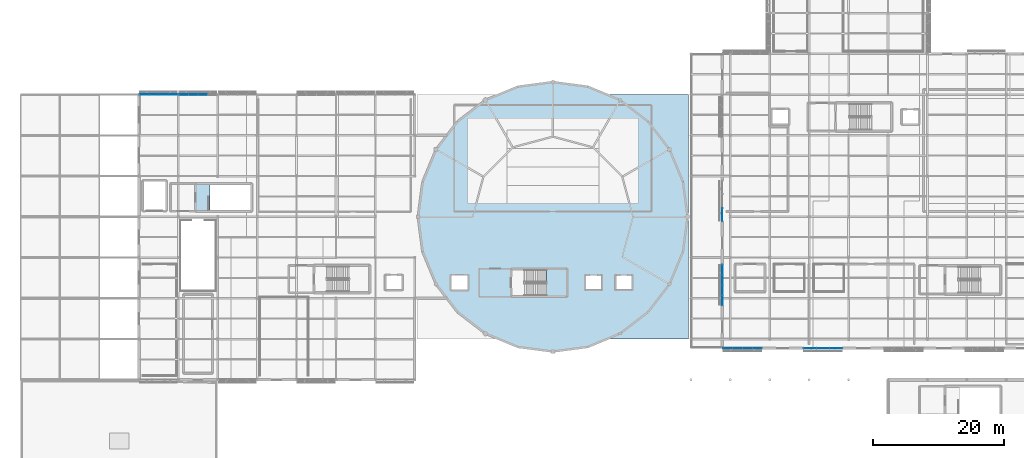
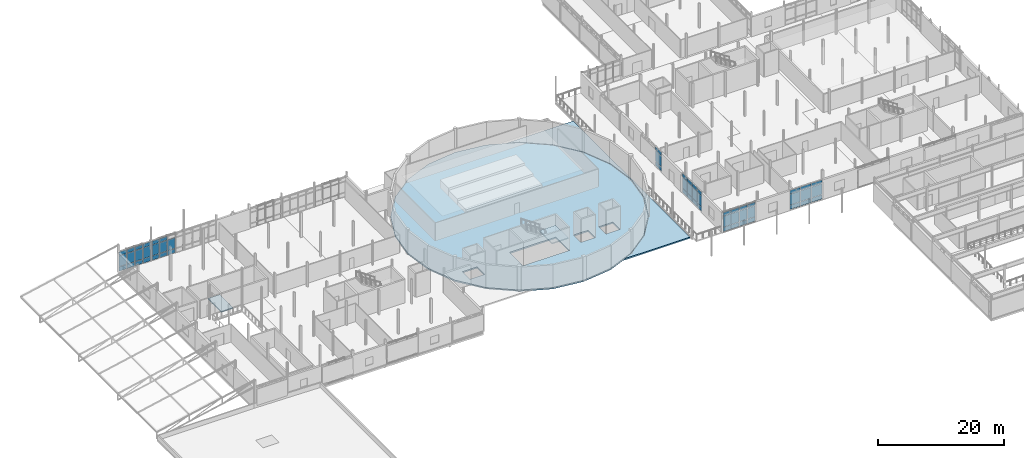
# One storey, part 50 of 84: 56 plates, 4 slabs, 7 elements without a shape of their own.
"""IFC4 building model written with IfcOpenShell, lengths in metres."""

from ifc_helpers import new_model, si_unit, direction, frame, origin, origin_2d, place, context, subcontext, project, spatial, polyline, rectangle, outline, extrude, material, layer, layer_set, type_object, element, aggregate, save


model = new_model("IFC4")

# Units and contexts
model_context = context("Model", 3, precision=1e-05, world=origin(), true_north=direction((0.0, 1.0)))
body_context = subcontext(model_context, "Body", "Model", "MODEL_VIEW")
ifc_project = project(units=[si_unit("LENGTHUNIT", "METRE"), si_unit("AREAUNIT", "SQUARE_METRE"), si_unit("VOLUMEUNIT", "CUBIC_METRE"), si_unit("PLANEANGLEUNIT", "RADIAN"), si_unit("MASSUNIT", "GRAM", prefix="KILO")], contexts=[model_context])

# Site, building, storey
site_placement = place(None, origin())
site = spatial("IfcSite", under=ifc_project, at=site_placement, CompositionType="ELEMENT")
building_placement = place(site_placement, origin())
building = spatial("IfcBuilding", under=site, at=building_placement, Name="Mirzam Square Science Centre", CompositionType="ELEMENT")
storey_placement = place(building_placement, frame((0.0, 0.0, 10.800048828125)))
storey = spatial("IfcBuildingStorey", under=building, at=storey_placement, Name="L02", CompositionType="ELEMENT", Elevation=10.800048828125)

# Curtain wall, plates
ifc_material_1 = material(Name="Anodised Aluminium and Low-E Solar Glass", Category="aluminium")
ifc_layer_1 = layer(ifc_material_1, 0.159912109375)
ifc_layer_set_1 = layer_set([ifc_layer_1], Name="CW-COURT-B")
curtain_wall_type_1 = type_object("IfcCurtainWallType", Name="CW-COURT-B", PredefinedType="USERDEFINED", material=ifc_layer_set_1)
curtain_wall_1_placement = place(storey_placement, origin())
curtain_wall_1 = element("IfcCurtainWall", 1, at=curtain_wall_1_placement, inside=storey, type_object=curtain_wall_type_1, Name="L02 unitised curtain wall 100", ObjectType="UNITISED CURTAIN WALL", PredefinedType="USERDEFINED")
ifc_material_2 = material(Name="Ceramic-Fritted Courtyard Solar Glass", Category="glass")
ifc_layer_2 = layer(ifc_material_2, 0.02392578125)
ifc_layer_set_2 = layer_set([ifc_layer_2], Name="CWP-GLZ-24")
plate_type_1 = type_object("IfcPlateType", Name="CWP-GLZ-24", PredefinedType="CURTAIN_PANEL", material=ifc_layer_set_2)
plate_1_placement = place(storey_placement, frame((107.622802734375, 42.0, 0.059814453125), z_axis=(0.0, 0.0, 1.0), x_axis=(1.0, 0.0, 0.0)))
plate_1 = element("IfcPlate", 2, at=plate_1_placement, type_object=plate_type_1, Name="CW-04 panel 1.1", PredefinedType="CURTAIN_PANEL", context=body_context, shape_type="SweptSolid", body=[
    extrude(rectangle(XDim=1.415771484375, YDim=0.02392578125, at=origin_2d()), origin(), (0.0, 0.0, 1.0), 0.81005859375),
])
plate_2_placement = place(storey_placement, frame((107.622802734375, 42.0, 0.929931640625), z_axis=(0.0, 0.0, 1.0), x_axis=(1.0, 0.0, 0.0)))
plate_2 = element("IfcPlate", 3, at=plate_2_placement, type_object=plate_type_1, Name="CW-04 panel 1.2", PredefinedType="CURTAIN_PANEL", context=body_context, shape_type="SweptSolid", body=[
    extrude(rectangle(XDim=1.415771484375, YDim=0.02392578125, at=origin_2d()), origin(), (0.0, 0.0, 1.0), 2.080078125),
])
plate_3_placement = place(storey_placement, frame((107.622802734375, 42.0, 3.070068359375), z_axis=(0.0, 0.0, 1.0), x_axis=(1.0, 0.0, 0.0)))
plate_3 = element("IfcPlate", 4, at=plate_3_placement, type_object=plate_type_1, Name="CW-04 panel 1.3", PredefinedType="CURTAIN_PANEL", context=body_context, shape_type="SweptSolid", body=[
    extrude(rectangle(XDim=1.415771484375, YDim=0.02392578125, at=origin_2d()), origin(), (0.0, 0.0, 1.0), 0.7099609375),
])
plate_4_placement = place(storey_placement, frame((109.11376953125, 42.0, 0.059814453125), z_axis=(0.0, 0.0, 1.0), x_axis=(1.0, 0.0, 0.0)))
plate_4 = element("IfcPlate", 5, at=plate_4_placement, type_object=plate_type_1, Name="CW-04 panel 2.1", PredefinedType="CURTAIN_PANEL", context=body_context, shape_type="SweptSolid", body=[
    extrude(rectangle(XDim=1.44580078125, YDim=0.02392578125, at=origin_2d()), origin(), (0.0, 0.0, 1.0), 0.81005859375),
])
plate_5_placement = place(storey_placement, frame((109.11376953125, 42.0, 0.929931640625), z_axis=(0.0, 0.0, 1.0), x_axis=(1.0, 0.0, 0.0)))
plate_5 = element("IfcPlate", 6, at=plate_5_placement, type_object=plate_type_1, Name="CW-04 panel 2.2", PredefinedType="CURTAIN_PANEL", context=body_context, shape_type="SweptSolid", body=[
    extrude(rectangle(XDim=1.44580078125, YDim=0.02392578125, at=origin_2d()), origin(), (0.0, 0.0, 1.0), 2.080078125),
])
plate_6_placement = place(storey_placement, frame((109.11376953125, 42.0, 3.070068359375), z_axis=(0.0, 0.0, 1.0), x_axis=(1.0, 0.0, 0.0)))
plate_6 = element("IfcPlate", 7, at=plate_6_placement, type_object=plate_type_1, Name="CW-04 panel 2.3", PredefinedType="CURTAIN_PANEL", context=body_context, shape_type="SweptSolid", body=[
    extrude(rectangle(XDim=1.44580078125, YDim=0.02392578125, at=origin_2d()), origin(), (0.0, 0.0, 1.0), 0.7099609375),
])
plate_7_placement = place(storey_placement, frame((110.61962890625, 42.0, 0.059814453125), z_axis=(0.0, 0.0, 1.0), x_axis=(1.0, 0.0, 0.0)))
plate_7 = element("IfcPlate", 8, at=plate_7_placement, type_object=plate_type_1, Name="CW-04 panel 3.1", PredefinedType="CURTAIN_PANEL", context=body_context, shape_type="SweptSolid", body=[
    extrude(rectangle(XDim=1.44580078125, YDim=0.02392578125, at=origin_2d()), origin(), (0.0, 0.0, 1.0), 0.81005859375),
])
plate_8_placement = place(storey_placement, frame((110.61962890625, 42.0, 0.929931640625), z_axis=(0.0, 0.0, 1.0), x_axis=(1.0, 0.0, 0.0)))
plate_8 = element("IfcPlate", 9, at=plate_8_placement, type_object=plate_type_1, Name="CW-04 panel 3.2", PredefinedType="CURTAIN_PANEL", context=body_context, shape_type="SweptSolid", body=[
    extrude(rectangle(XDim=1.44580078125, YDim=0.02392578125, at=origin_2d()), origin(), (0.0, 0.0, 1.0), 2.080078125),
])
plate_9_placement = place(storey_placement, frame((110.61962890625, 42.0, 3.070068359375), z_axis=(0.0, 0.0, 1.0), x_axis=(1.0, 0.0, 0.0)))
plate_9 = element("IfcPlate", 10, at=plate_9_placement, type_object=plate_type_1, Name="CW-04 panel 3.3", PredefinedType="CURTAIN_PANEL", context=body_context, shape_type="SweptSolid", body=[
    extrude(rectangle(XDim=1.44580078125, YDim=0.02392578125, at=origin_2d()), origin(), (0.0, 0.0, 1.0), 0.7099609375),
])
plate_10_placement = place(storey_placement, frame((112.1103515625, 42.0, 0.059814453125), z_axis=(0.0, 0.0, 1.0), x_axis=(1.0, 0.0, 0.0)))
plate_10 = element("IfcPlate", 11, at=plate_10_placement, type_object=plate_type_1, Name="CW-04 panel 4.1", PredefinedType="CURTAIN_PANEL", context=body_context, shape_type="SweptSolid", body=[
    extrude(rectangle(XDim=1.415771484375, YDim=0.02392578125, at=origin_2d()), origin(), (0.0, 0.0, 1.0), 0.81005859375),
])
plate_11_placement = place(storey_placement, frame((112.1103515625, 42.0, 0.929931640625), z_axis=(0.0, 0.0, 1.0), x_axis=(1.0, 0.0, 0.0)))
plate_11 = element("IfcPlate", 12, at=plate_11_placement, type_object=plate_type_1, Name="CW-04 panel 4.2", PredefinedType="CURTAIN_PANEL", context=body_context, shape_type="SweptSolid", body=[
    extrude(rectangle(XDim=1.415771484375, YDim=0.02392578125, at=origin_2d()), origin(), (0.0, 0.0, 1.0), 2.080078125),
])
plate_12_placement = place(storey_placement, frame((112.1103515625, 42.0, 3.070068359375), z_axis=(0.0, 0.0, 1.0), x_axis=(1.0, 0.0, 0.0)))
plate_12 = element("IfcPlate", 13, at=plate_12_placement, type_object=plate_type_1, Name="CW-04 panel 4.3", PredefinedType="CURTAIN_PANEL", context=body_context, shape_type="SweptSolid", body=[
    extrude(rectangle(XDim=1.415771484375, YDim=0.02392578125, at=origin_2d()), origin(), (0.0, 0.0, 1.0), 0.7099609375),
])
aggregate(curtain_wall_1, [plate_1, plate_2, plate_3, plate_4, plate_5, plate_6, plate_7, plate_8, plate_9, plate_10, plate_11, plate_12])

ifc_layer_3 = layer(ifc_material_1, 0.239990234375)
ifc_layer_set_3 = layer_set([ifc_layer_3], Name="CW-EAST-B")
curtain_wall_type_2 = type_object("IfcCurtainWallType", Name="CW-EAST-B", PredefinedType="USERDEFINED", material=ifc_layer_set_3)
curtain_wall_2_placement = place(storey_placement, origin())
curtain_wall_2 = element("IfcCurtainWall", 14, at=curtain_wall_2_placement, inside=storey, type_object=curtain_wall_type_2, Name="L02 unitised curtain wall 101", ObjectType="UNITISED CURTAIN WALL", PredefinedType="USERDEFINED")
ifc_material_3 = material(Name="Double-Silver Low-E Insulated Solar Glass", Category="glass")
ifc_layer_4 = layer(ifc_material_3, 0.028076171875)
ifc_layer_set_4 = layer_set([ifc_layer_4], Name="CWP-GLZ-28")
plate_type_2 = type_object("IfcPlateType", Name="CWP-GLZ-28", PredefinedType="CURTAIN_PANEL", material=ifc_layer_set_4)
plate_13_placement = place(storey_placement, frame((120.144287109375, 42.0, 0.074951171875), z_axis=(0.0, 0.0, 1.0), x_axis=(1.0, 0.0, 0.0)))
plate_13 = element("IfcPlate", 15, at=plate_13_placement, type_object=plate_type_2, Name="CW-06 panel 1.1", PredefinedType="CURTAIN_PANEL", context=body_context, shape_type="SweptSolid", body=[
    extrude(rectangle(XDim=1.895263671875, YDim=0.028076171875, at=origin_2d()), origin(), (0.0, 0.0, 1.0), 0.78759765625),
])
plate_14_placement = place(storey_placement, frame((120.144287109375, 42.0, 0.9375), z_axis=(0.0, 0.0, 1.0), x_axis=(1.0, 0.0, 0.0)))
plate_14 = element("IfcPlate", 16, at=plate_14_placement, type_object=plate_type_2, Name="CW-06 panel 1.2", PredefinedType="CURTAIN_PANEL", context=body_context, shape_type="SweptSolid", body=[
    extrude(rectangle(XDim=1.895263671875, YDim=0.028076171875, at=origin_2d()), origin(), (0.0, 0.0, 1.0), 2.06494140625),
])
plate_15_placement = place(storey_placement, frame((120.144287109375, 42.0, 3.077392578125), z_axis=(0.0, 0.0, 1.0), x_axis=(1.0, 0.0, 0.0)))
plate_15 = element("IfcPlate", 17, at=plate_15_placement, type_object=plate_type_2, Name="CW-06 panel 1.3", PredefinedType="CURTAIN_PANEL", context=body_context, shape_type="SweptSolid", body=[
    extrude(rectangle(XDim=1.895263671875, YDim=0.028076171875, at=origin_2d()), origin(), (0.0, 0.0, 1.0), 0.6875),
])
plate_16_placement = place(storey_placement, frame((122.13330078125, 42.0, 0.074951171875), z_axis=(0.0, 0.0, 1.0), x_axis=(1.0, 0.0, 0.0)))
plate_16 = element("IfcPlate", 18, at=plate_16_placement, type_object=plate_type_2, Name="CW-06 panel 2.1", PredefinedType="CURTAIN_PANEL", context=body_context, shape_type="SweptSolid", body=[
    extrude(rectangle(XDim=1.932861328125, YDim=0.028076171875, at=origin_2d()), origin(), (0.0, 0.0, 1.0), 0.78759765625),
])
plate_17_placement = place(storey_placement, frame((122.13330078125, 42.0, 0.9375), z_axis=(0.0, 0.0, 1.0), x_axis=(1.0, 0.0, 0.0)))
plate_17 = element("IfcPlate", 19, at=plate_17_placement, type_object=plate_type_2, Name="CW-06 panel 2.2", PredefinedType="CURTAIN_PANEL", context=body_context, shape_type="SweptSolid", body=[
    extrude(rectangle(XDim=1.932861328125, YDim=0.028076171875, at=origin_2d()), origin(), (0.0, 0.0, 1.0), 2.06494140625),
])
plate_18_placement = place(storey_placement, frame((122.13330078125, 42.0, 3.077392578125), z_axis=(0.0, 0.0, 1.0), x_axis=(1.0, 0.0, 0.0)))
plate_18 = element("IfcPlate", 20, at=plate_18_placement, type_object=plate_type_2, Name="CW-06 panel 2.3", PredefinedType="CURTAIN_PANEL", context=body_context, shape_type="SweptSolid", body=[
    extrude(rectangle(XDim=1.932861328125, YDim=0.028076171875, at=origin_2d()), origin(), (0.0, 0.0, 1.0), 0.6875),
])
plate_19_placement = place(storey_placement, frame((124.122314453125, 42.0, 0.074951171875), z_axis=(0.0, 0.0, 1.0), x_axis=(1.0, 0.0, 0.0)))
plate_19 = element("IfcPlate", 21, at=plate_19_placement, type_object=plate_type_2, Name="CW-06 panel 3.1", PredefinedType="CURTAIN_PANEL", context=body_context, shape_type="SweptSolid", body=[
    extrude(rectangle(XDim=1.895263671875, YDim=0.028076171875, at=origin_2d()), origin(), (0.0, 0.0, 1.0), 0.78759765625),
])
plate_20_placement = place(storey_placement, frame((124.122314453125, 42.0, 0.9375), z_axis=(0.0, 0.0, 1.0), x_axis=(1.0, 0.0, 0.0)))
plate_20 = element("IfcPlate", 22, at=plate_20_placement, type_object=plate_type_2, Name="CW-06 panel 3.2", PredefinedType="CURTAIN_PANEL", context=body_context, shape_type="SweptSolid", body=[
    extrude(rectangle(XDim=1.895263671875, YDim=0.028076171875, at=origin_2d()), origin(), (0.0, 0.0, 1.0), 2.06494140625),
])
plate_21_placement = place(storey_placement, frame((124.122314453125, 42.0, 3.077392578125), z_axis=(0.0, 0.0, 1.0), x_axis=(1.0, 0.0, 0.0)))
plate_21 = element("IfcPlate", 23, at=plate_21_placement, type_object=plate_type_2, Name="CW-06 panel 3.3", PredefinedType="CURTAIN_PANEL", context=body_context, shape_type="SweptSolid", body=[
    extrude(rectangle(XDim=1.895263671875, YDim=0.028076171875, at=origin_2d()), origin(), (0.0, 0.0, 1.0), 0.6875),
])
aggregate(curtain_wall_2, [plate_13, plate_14, plate_15, plate_16, plate_17, plate_18, plate_19, plate_20, plate_21])

curtain_wall_3_placement = place(storey_placement, origin())
curtain_wall_3 = element("IfcCurtainWall", 24, at=curtain_wall_3_placement, inside=storey, type_object=curtain_wall_type_2, Name="L02 unitised curtain wall 111", ObjectType="UNITISED CURTAIN WALL", PredefinedType="USERDEFINED")
plate_22_placement = place(storey_placement, frame((106.800048828125, 62.322021484375, 0.074951171875), z_axis=(0.0, 0.0, 1.0), x_axis=(0.0, -1.0, 0.0)))
plate_22 = element("IfcPlate", 25, at=plate_22_placement, type_object=plate_type_2, Name="CW-06 panel 3.1", PredefinedType="CURTAIN_PANEL", context=body_context, shape_type="SweptSolid", body=[
    extrude(rectangle(XDim=1.984130859375, YDim=0.028076171875, at=origin_2d()), origin(), (0.0, 0.0, 1.0), 0.78759765625),
])
plate_23_placement = place(storey_placement, frame((106.800048828125, 62.322021484375, 0.9375), z_axis=(0.0, 0.0, 1.0), x_axis=(0.0, -1.0, 0.0)))
plate_23 = element("IfcPlate", 26, at=plate_23_placement, type_object=plate_type_2, Name="CW-06 panel 3.2", PredefinedType="CURTAIN_PANEL", context=body_context, shape_type="SweptSolid", body=[
    extrude(rectangle(XDim=1.984130859375, YDim=0.028076171875, at=origin_2d()), origin(), (0.0, 0.0, 1.0), 2.06494140625),
])
plate_24_placement = place(storey_placement, frame((106.800048828125, 62.322021484375, 3.077392578125), z_axis=(0.0, 0.0, 1.0), x_axis=(0.0, -1.0, 0.0)))
plate_24 = element("IfcPlate", 27, at=plate_24_placement, type_object=plate_type_2, Name="CW-06 panel 3.3", PredefinedType="CURTAIN_PANEL", context=body_context, shape_type="SweptSolid", body=[
    extrude(rectangle(XDim=1.984130859375, YDim=0.028076171875, at=origin_2d()), origin(), (0.0, 0.0, 1.0), 0.6875),
])
aggregate(curtain_wall_3, [plate_22, plate_23, plate_24])

ifc_layer_5 = layer(ifc_material_1, 0.219970703125)
ifc_layer_set_5 = layer_set([ifc_layer_5], Name="CW-OBS-A")
curtain_wall_type_3 = type_object("IfcCurtainWallType", Name="CW-OBS-A", PredefinedType="USERDEFINED", material=ifc_layer_set_5)
curtain_wall_4_placement = place(storey_placement, origin())
curtain_wall_4 = element("IfcCurtainWall", 28, at=curtain_wall_4_placement, inside=storey, type_object=curtain_wall_type_3, Name="L02 unitised curtain wall 21", ObjectType="UNITISED CURTAIN WALL", PredefinedType="USERDEFINED")
ifc_material_4 = material(Name="Triple-Glazed Acoustic Low-E Solar Glass", Category="glass")
ifc_layer_6 = layer(ifc_material_4, 0.031982421875)
ifc_layer_set_6 = layer_set([ifc_layer_6], Name="CWP-GLZ-32")
plate_type_3 = type_object("IfcPlateType", Name="CWP-GLZ-32", PredefinedType="CURTAIN_PANEL", material=ifc_layer_set_6)
plate_25_placement = place(storey_placement, frame((23.19384765625, 80.60009765625, 0.059814453125), z_axis=(0.0, 0.0, 1.0), x_axis=(-1.0, 0.0, 0.0)))
plate_25 = element("IfcPlate", 29, at=plate_25_placement, type_object=plate_type_3, Name="CW-07 panel 1.1", PredefinedType="CURTAIN_PANEL", context=body_context, shape_type="SweptSolid", body=[
    extrude(rectangle(XDim=1.382568359375, YDim=0.031982421875, at=origin_2d()), origin(), (0.0, 0.0, 1.0), 0.81005859375),
])
plate_26_placement = place(storey_placement, frame((23.19384765625, 80.60009765625, 0.929931640625), z_axis=(0.0, 0.0, 1.0), x_axis=(-1.0, 0.0, 0.0)))
plate_26 = element("IfcPlate", 30, at=plate_26_placement, type_object=plate_type_3, Name="CW-07 panel 1.2", PredefinedType="CURTAIN_PANEL", context=body_context, shape_type="SweptSolid", body=[
    extrude(rectangle(XDim=1.382568359375, YDim=0.031982421875, at=origin_2d()), origin(), (0.0, 0.0, 1.0), 2.080078125),
])
plate_27_placement = place(storey_placement, frame((23.19384765625, 80.60009765625, 3.070068359375), z_axis=(0.0, 0.0, 1.0), x_axis=(-1.0, 0.0, 0.0)))
plate_27 = element("IfcPlate", 31, at=plate_27_placement, type_object=plate_type_3, Name="CW-07 panel 1.3", PredefinedType="CURTAIN_PANEL", context=body_context, shape_type="SweptSolid", body=[
    extrude(rectangle(XDim=1.382568359375, YDim=0.031982421875, at=origin_2d()), origin(), (0.0, 0.0, 1.0), 0.7099609375),
])
plate_28_placement = place(storey_placement, frame((21.736328125, 80.60009765625, 0.059814453125), z_axis=(0.0, 0.0, 1.0), x_axis=(-1.0, 0.0, 0.0)))
plate_28 = element("IfcPlate", 32, at=plate_28_placement, type_object=plate_type_3, Name="CW-07 panel 2.1", PredefinedType="CURTAIN_PANEL", context=body_context, shape_type="SweptSolid", body=[
    extrude(rectangle(XDim=1.41259765625, YDim=0.031982421875, at=origin_2d()), origin(), (0.0, 0.0, 1.0), 0.81005859375),
])
plate_29_placement = place(storey_placement, frame((21.736328125, 80.60009765625, 0.929931640625), z_axis=(0.0, 0.0, 1.0), x_axis=(-1.0, 0.0, 0.0)))
plate_29 = element("IfcPlate", 33, at=plate_29_placement, type_object=plate_type_3, Name="CW-07 panel 2.2", PredefinedType="CURTAIN_PANEL", context=body_context, shape_type="SweptSolid", body=[
    extrude(rectangle(XDim=1.41259765625, YDim=0.031982421875, at=origin_2d()), origin(), (0.0, 0.0, 1.0), 2.080078125),
])
plate_30_placement = place(storey_placement, frame((21.736328125, 80.60009765625, 3.070068359375), z_axis=(0.0, 0.0, 1.0), x_axis=(-1.0, 0.0, 0.0)))
plate_30 = element("IfcPlate", 34, at=plate_30_placement, type_object=plate_type_3, Name="CW-07 panel 2.3", PredefinedType="CURTAIN_PANEL", context=body_context, shape_type="SweptSolid", body=[
    extrude(rectangle(XDim=1.41259765625, YDim=0.031982421875, at=origin_2d()), origin(), (0.0, 0.0, 1.0), 0.7099609375),
])
plate_31_placement = place(storey_placement, frame((20.263671875, 80.60009765625, 0.059814453125), z_axis=(0.0, 0.0, 1.0), x_axis=(-1.0, 0.0, 0.0)))
plate_31 = element("IfcPlate", 35, at=plate_31_placement, type_object=plate_type_3, Name="CW-07 panel 3.1", PredefinedType="CURTAIN_PANEL", context=body_context, shape_type="SweptSolid", body=[
    extrude(rectangle(XDim=1.41259765625, YDim=0.031982421875, at=origin_2d()), origin(), (0.0, 0.0, 1.0), 0.81005859375),
])
plate_32_placement = place(storey_placement, frame((20.263671875, 80.60009765625, 0.929931640625), z_axis=(0.0, 0.0, 1.0), x_axis=(-1.0, 0.0, 0.0)))
plate_32 = element("IfcPlate", 36, at=plate_32_placement, type_object=plate_type_3, Name="CW-07 panel 3.2", PredefinedType="CURTAIN_PANEL", context=body_context, shape_type="SweptSolid", body=[
    extrude(rectangle(XDim=1.41259765625, YDim=0.031982421875, at=origin_2d()), origin(), (0.0, 0.0, 1.0), 2.080078125),
])
plate_33_placement = place(storey_placement, frame((20.263671875, 80.60009765625, 3.070068359375), z_axis=(0.0, 0.0, 1.0), x_axis=(-1.0, 0.0, 0.0)))
plate_33 = element("IfcPlate", 37, at=plate_33_placement, type_object=plate_type_3, Name="CW-07 panel 3.3", PredefinedType="CURTAIN_PANEL", context=body_context, shape_type="SweptSolid", body=[
    extrude(rectangle(XDim=1.41259765625, YDim=0.031982421875, at=origin_2d()), origin(), (0.0, 0.0, 1.0), 0.7099609375),
])
plate_34_placement = place(storey_placement, frame((18.80615234375, 80.60009765625, 0.059814453125), z_axis=(0.0, 0.0, 1.0), x_axis=(-1.0, 0.0, 0.0)))
plate_34 = element("IfcPlate", 38, at=plate_34_placement, type_object=plate_type_3, Name="CW-07 panel 4.1", PredefinedType="CURTAIN_PANEL", context=body_context, shape_type="SweptSolid", body=[
    extrude(rectangle(XDim=1.382568359375, YDim=0.031982421875, at=origin_2d()), origin(), (0.0, 0.0, 1.0), 0.81005859375),
])
plate_35_placement = place(storey_placement, frame((18.80615234375, 80.60009765625, 0.929931640625), z_axis=(0.0, 0.0, 1.0), x_axis=(-1.0, 0.0, 0.0)))
plate_35 = element("IfcPlate", 39, at=plate_35_placement, type_object=plate_type_3, Name="CW-07 panel 4.2", PredefinedType="CURTAIN_PANEL", context=body_context, shape_type="SweptSolid", body=[
    extrude(rectangle(XDim=1.382568359375, YDim=0.031982421875, at=origin_2d()), origin(), (0.0, 0.0, 1.0), 2.080078125),
])
plate_36_placement = place(storey_placement, frame((18.80615234375, 80.60009765625, 3.070068359375), z_axis=(0.0, 0.0, 1.0), x_axis=(-1.0, 0.0, 0.0)))
plate_36 = element("IfcPlate", 40, at=plate_36_placement, type_object=plate_type_3, Name="CW-07 panel 4.3", PredefinedType="CURTAIN_PANEL", context=body_context, shape_type="SweptSolid", body=[
    extrude(rectangle(XDim=1.382568359375, YDim=0.031982421875, at=origin_2d()), origin(), (0.0, 0.0, 1.0), 0.7099609375),
])
aggregate(curtain_wall_4, [plate_25, plate_26, plate_27, plate_28, plate_29, plate_30, plate_31, plate_32, plate_33, plate_34, plate_35, plate_36])

ifc_layer_7 = layer(ifc_material_1, 0.179931640625)
ifc_layer_set_7 = layer_set([ifc_layer_7], Name="CW-LINK-A")
curtain_wall_type_4 = type_object("IfcCurtainWallType", Name="CW-LINK-A", PredefinedType="USERDEFINED", material=ifc_layer_set_7)
curtain_wall_5_placement = place(storey_placement, origin())
curtain_wall_5 = element("IfcCurtainWall", 41, at=curtain_wall_5_placement, inside=storey, type_object=curtain_wall_type_4, Name="L02 unitised curtain wall 22", ObjectType="UNITISED CURTAIN WALL", PredefinedType="USERDEFINED")
ifc_material_5 = material(Name="Laminated Low-Iron Observatory Solar Glass", Category="glass")
ifc_layer_8 = layer(ifc_material_5, 0.035888671875)
ifc_layer_set_8 = layer_set([ifc_layer_8], Name="CWP-GLZ-36")
plate_type_4 = type_object("IfcPlateType", Name="CWP-GLZ-36", PredefinedType="CURTAIN_PANEL", material=ifc_layer_set_8)
plate_37_placement = place(storey_placement, frame((27.736328125, 80.60009765625, 0.06494140625), z_axis=(0.0, 0.0, 1.0), x_axis=(-1.0, 0.0, 0.0)))
plate_37 = element("IfcPlate", 42, at=plate_37_placement, type_object=plate_type_4, Name="CW-08 panel 2.1", PredefinedType="CURTAIN_PANEL", context=body_context, shape_type="SweptSolid", body=[
    extrude(rectangle(XDim=1.407470703125, YDim=0.035888671875, at=origin_2d()), origin(), (0.0, 0.0, 1.0), 0.802490234375),
])
plate_38_placement = place(storey_placement, frame((27.736328125, 80.60009765625, 0.9326171875), z_axis=(0.0, 0.0, 1.0), x_axis=(-1.0, 0.0, 0.0)))
plate_38 = element("IfcPlate", 43, at=plate_38_placement, type_object=plate_type_4, Name="CW-08 panel 2.2", PredefinedType="CURTAIN_PANEL", context=body_context, shape_type="SweptSolid", body=[
    extrude(rectangle(XDim=1.407470703125, YDim=0.035888671875, at=origin_2d()), origin(), (0.0, 0.0, 1.0), 2.074951171875),
])
plate_39_placement = place(storey_placement, frame((26.263671875, 80.60009765625, 0.06494140625), z_axis=(0.0, 0.0, 1.0), x_axis=(-1.0, 0.0, 0.0)))
plate_39 = element("IfcPlate", 44, at=plate_39_placement, type_object=plate_type_4, Name="CW-08 panel 3.1", PredefinedType="CURTAIN_PANEL", context=body_context, shape_type="SweptSolid", body=[
    extrude(rectangle(XDim=1.407470703125, YDim=0.035888671875, at=origin_2d()), origin(), (0.0, 0.0, 1.0), 0.802490234375),
])
plate_40_placement = place(storey_placement, frame((26.263671875, 80.60009765625, 0.9326171875), z_axis=(0.0, 0.0, 1.0), x_axis=(-1.0, 0.0, 0.0)))
plate_40 = element("IfcPlate", 45, at=plate_40_placement, type_object=plate_type_4, Name="CW-08 panel 3.2", PredefinedType="CURTAIN_PANEL", context=body_context, shape_type="SweptSolid", body=[
    extrude(rectangle(XDim=1.407470703125, YDim=0.035888671875, at=origin_2d()), origin(), (0.0, 0.0, 1.0), 2.074951171875),
])
plate_41_placement = place(storey_placement, frame((26.263671875, 80.60009765625, 3.072265625), z_axis=(0.0, 0.0, 1.0), x_axis=(-1.0, 0.0, 0.0)))
plate_41 = element("IfcPlate", 46, at=plate_41_placement, type_object=plate_type_4, Name="CW-08 panel 3.3", PredefinedType="CURTAIN_PANEL", context=body_context, shape_type="SweptSolid", body=[
    extrude(rectangle(XDim=1.407470703125, YDim=0.035888671875, at=origin_2d()), origin(), (0.0, 0.0, 1.0), 0.702392578125),
])
plate_42_placement = place(storey_placement, frame((24.8076171875, 80.60009765625, 0.06494140625), z_axis=(0.0, 0.0, 1.0), x_axis=(-1.0, 0.0, 0.0)))
plate_42 = element("IfcPlate", 47, at=plate_42_placement, type_object=plate_type_4, Name="CW-08 panel 4.1", PredefinedType="CURTAIN_PANEL", context=body_context, shape_type="SweptSolid", body=[
    extrude(rectangle(XDim=1.375, YDim=0.035888671875, at=origin_2d()), origin(), (0.0, 0.0, 1.0), 0.802490234375),
])
plate_43_placement = place(storey_placement, frame((24.8076171875, 80.60009765625, 0.9326171875), z_axis=(0.0, 0.0, 1.0), x_axis=(-1.0, 0.0, 0.0)))
plate_43 = element("IfcPlate", 48, at=plate_43_placement, type_object=plate_type_4, Name="CW-08 panel 4.2", PredefinedType="CURTAIN_PANEL", context=body_context, shape_type="SweptSolid", body=[
    extrude(rectangle(XDim=1.375, YDim=0.035888671875, at=origin_2d()), origin(), (0.0, 0.0, 1.0), 2.074951171875),
])
plate_44_placement = place(storey_placement, frame((24.8076171875, 80.60009765625, 3.072265625), z_axis=(0.0, 0.0, 1.0), x_axis=(-1.0, 0.0, 0.0)))
plate_44 = element("IfcPlate", 49, at=plate_44_placement, type_object=plate_type_4, Name="CW-08 panel 4.3", PredefinedType="CURTAIN_PANEL", context=body_context, shape_type="SweptSolid", body=[
    extrude(rectangle(XDim=1.375, YDim=0.035888671875, at=origin_2d()), origin(), (0.0, 0.0, 1.0), 0.702392578125),
])
aggregate(curtain_wall_5, [plate_37, plate_38, plate_39, plate_40, plate_41, plate_42, plate_43, plate_44])

curtain_wall_6_placement = place(storey_placement, origin())
curtain_wall_6 = element("IfcCurtainWall", 50, at=curtain_wall_6_placement, inside=storey, type_object=curtain_wall_type_4, Name="L02 unitised curtain wall 112", ObjectType="UNITISED CURTAIN WALL", PredefinedType="USERDEFINED")
plate_45_placement = place(storey_placement, frame((106.800048828125, 53.9423828125, 0.06494140625), z_axis=(0.0, 0.0, 1.0), x_axis=(0.0, -1.0, 0.0)))
plate_45 = element("IfcPlate", 51, at=plate_45_placement, type_object=plate_type_4, Name="CW-08 panel 1.1", PredefinedType="CURTAIN_PANEL", context=body_context, shape_type="SweptSolid", body=[
    extrude(rectangle(XDim=1.47509765625, YDim=0.035888671875, at=origin_2d()), origin(), (0.0, 0.0, 1.0), 0.802490234375),
])
plate_46_placement = place(storey_placement, frame((106.800048828125, 53.9423828125, 0.9326171875), z_axis=(0.0, 0.0, 1.0), x_axis=(0.0, -1.0, 0.0)))
plate_46 = element("IfcPlate", 52, at=plate_46_placement, type_object=plate_type_4, Name="CW-08 panel 1.2", PredefinedType="CURTAIN_PANEL", context=body_context, shape_type="SweptSolid", body=[
    extrude(rectangle(XDim=1.47509765625, YDim=0.035888671875, at=origin_2d()), origin(), (0.0, 0.0, 1.0), 2.074951171875),
])
plate_47_placement = place(storey_placement, frame((106.800048828125, 53.9423828125, 3.072265625), z_axis=(0.0, 0.0, 1.0), x_axis=(0.0, -1.0, 0.0)))
plate_47 = element("IfcPlate", 53, at=plate_47_placement, type_object=plate_type_4, Name="CW-08 panel 1.3", PredefinedType="CURTAIN_PANEL", context=body_context, shape_type="SweptSolid", body=[
    extrude(rectangle(XDim=1.47509765625, YDim=0.035888671875, at=origin_2d()), origin(), (0.0, 0.0, 1.0), 0.702392578125),
])
plate_48_placement = place(storey_placement, frame((106.800048828125, 52.38623046875, 0.06494140625), z_axis=(0.0, 0.0, 1.0), x_axis=(0.0, -1.0, 0.0)))
plate_48 = element("IfcPlate", 54, at=plate_48_placement, type_object=plate_type_4, Name="CW-08 panel 2.1", PredefinedType="CURTAIN_PANEL", context=body_context, shape_type="SweptSolid", body=[
    extrude(rectangle(XDim=1.507568359375, YDim=0.035888671875, at=origin_2d()), origin(), (0.0, 0.0, 1.0), 0.802490234375),
])
plate_49_placement = place(storey_placement, frame((106.800048828125, 52.38623046875, 0.9326171875), z_axis=(0.0, 0.0, 1.0), x_axis=(0.0, -1.0, 0.0)))
plate_49 = element("IfcPlate", 55, at=plate_49_placement, type_object=plate_type_4, Name="CW-08 panel 2.2", PredefinedType="CURTAIN_PANEL", context=body_context, shape_type="SweptSolid", body=[
    extrude(rectangle(XDim=1.507568359375, YDim=0.035888671875, at=origin_2d()), origin(), (0.0, 0.0, 1.0), 2.074951171875),
])
plate_50_placement = place(storey_placement, frame((106.800048828125, 52.38623046875, 3.072265625), z_axis=(0.0, 0.0, 1.0), x_axis=(0.0, -1.0, 0.0)))
plate_50 = element("IfcPlate", 56, at=plate_50_placement, type_object=plate_type_4, Name="CW-08 panel 2.3", PredefinedType="CURTAIN_PANEL", context=body_context, shape_type="SweptSolid", body=[
    extrude(rectangle(XDim=1.507568359375, YDim=0.035888671875, at=origin_2d()), origin(), (0.0, 0.0, 1.0), 0.702392578125),
])
plate_51_placement = place(storey_placement, frame((106.800048828125, 50.813720703125, 0.06494140625), z_axis=(0.0, 0.0, 1.0), x_axis=(0.0, -1.0, 0.0)))
plate_51 = element("IfcPlate", 57, at=plate_51_placement, type_object=plate_type_4, Name="CW-08 panel 3.1", PredefinedType="CURTAIN_PANEL", context=body_context, shape_type="SweptSolid", body=[
    extrude(rectangle(XDim=1.507568359375, YDim=0.035888671875, at=origin_2d()), origin(), (0.0, 0.0, 1.0), 0.802490234375),
])
plate_52_placement = place(storey_placement, frame((106.800048828125, 50.813720703125, 0.9326171875), z_axis=(0.0, 0.0, 1.0), x_axis=(0.0, -1.0, 0.0)))
plate_52 = element("IfcPlate", 58, at=plate_52_placement, type_object=plate_type_4, Name="CW-08 panel 3.2", PredefinedType="CURTAIN_PANEL", context=body_context, shape_type="SweptSolid", body=[
    extrude(rectangle(XDim=1.507568359375, YDim=0.035888671875, at=origin_2d()), origin(), (0.0, 0.0, 1.0), 2.074951171875),
])
plate_53_placement = place(storey_placement, frame((106.800048828125, 50.813720703125, 3.072265625), z_axis=(0.0, 0.0, 1.0), x_axis=(0.0, -1.0, 0.0)))
plate_53 = element("IfcPlate", 59, at=plate_53_placement, type_object=plate_type_4, Name="CW-08 panel 3.3", PredefinedType="CURTAIN_PANEL", context=body_context, shape_type="SweptSolid", body=[
    extrude(rectangle(XDim=1.507568359375, YDim=0.035888671875, at=origin_2d()), origin(), (0.0, 0.0, 1.0), 0.702392578125),
])
plate_54_placement = place(storey_placement, frame((106.800048828125, 49.257568359375, 0.06494140625), z_axis=(0.0, 0.0, 1.0), x_axis=(0.0, -1.0, 0.0)))
plate_54 = element("IfcPlate", 60, at=plate_54_placement, type_object=plate_type_4, Name="CW-08 panel 4.1", PredefinedType="CURTAIN_PANEL", context=body_context, shape_type="SweptSolid", body=[
    extrude(rectangle(XDim=1.47509765625, YDim=0.035888671875, at=origin_2d()), origin(), (0.0, 0.0, 1.0), 0.802490234375),
])
plate_55_placement = place(storey_placement, frame((106.800048828125, 49.257568359375, 0.9326171875), z_axis=(0.0, 0.0, 1.0), x_axis=(0.0, -1.0, 0.0)))
plate_55 = element("IfcPlate", 61, at=plate_55_placement, type_object=plate_type_4, Name="CW-08 panel 4.2", PredefinedType="CURTAIN_PANEL", context=body_context, shape_type="SweptSolid", body=[
    extrude(rectangle(XDim=1.47509765625, YDim=0.035888671875, at=origin_2d()), origin(), (0.0, 0.0, 1.0), 2.074951171875),
])
plate_56_placement = place(storey_placement, frame((106.800048828125, 49.257568359375, 3.072265625), z_axis=(0.0, 0.0, 1.0), x_axis=(0.0, -1.0, 0.0)))
plate_56 = element("IfcPlate", 62, at=plate_56_placement, type_object=plate_type_4, Name="CW-08 panel 4.3", PredefinedType="CURTAIN_PANEL", context=body_context, shape_type="SweptSolid", body=[
    extrude(rectangle(XDim=1.47509765625, YDim=0.035888671875, at=origin_2d()), origin(), (0.0, 0.0, 1.0), 0.702392578125),
])
aggregate(curtain_wall_6, [plate_45, plate_46, plate_47, plate_48, plate_49, plate_50, plate_51, plate_52, plate_53, plate_54, plate_55, plate_56])

# Slabs
ifc_material_6 = material(Name="Concrete C45/55", Category="concrete")
ifc_layer_9 = layer(ifc_material_6, 0.280029296875)
ifc_layer_set_9 = layer_set([ifc_layer_9], Name="SL-DRUM-280")
slab_type_1 = type_object("IfcSlabType", Name="SL-DRUM-280", PredefinedType="FLOOR", material=ifc_layer_set_9)
slab_1_placement = place(storey_placement, frame((0.0, 0.0, -0.280029296875)))
element("IfcSlab", 63, at=slab_1_placement, inside=storey, type_object=slab_type_1, Name="L02 drum slab", PredefinedType="FLOOR", context=body_context, shape_type="SweptSolid", body=[
    extrude(outline(polyline([(100.801513671875, 56.694091796875), (98.75341796875, 51.75), (95.49560546875, 47.50439453125), (91.25, 44.24658203125), (86.305908203125, 42.198486328125), (81.0, 41.5), (75.694091796875, 42.198486328125), (70.75, 44.24658203125), (66.50439453125, 47.50439453125), (63.24658203125, 51.75), (61.198486328125, 56.694091796875), (60.5, 62.0), (61.198486328125, 67.305908203125), (63.24658203125, 72.25), (66.50439453125, 76.49560546875), (70.75, 79.75341796875), (75.694091796875, 81.801513671875), (81.0, 82.5), (86.305908203125, 81.801513671875), (91.25, 79.75341796875), (95.49560546875, 76.49560546875), (98.75341796875, 72.25), (100.801513671875, 67.305908203125), (101.5, 62.0), (100.801513671875, 56.694091796875)]), holes=[polyline([(83.159912109375, 49.840087890625), (83.159912109375, 54.090087890625), (74.639892578125, 54.090087890625), (74.639892578125, 49.840087890625), (83.159912109375, 49.840087890625)]), polyline([(68.14990234375, 50.800048828125), (68.14990234375, 53.199951171875), (65.449951171875, 53.199951171875), (65.449951171875, 50.800048828125), (68.14990234375, 50.800048828125)]), polyline([(88.5, 50.85009765625), (88.5, 53.14990234375), (85.89990234375, 53.14990234375), (85.89990234375, 50.85009765625), (88.5, 50.85009765625)]), polyline([(93.10009765625, 50.85009765625), (93.10009765625, 53.14990234375), (90.5, 53.14990234375), (90.5, 50.85009765625), (93.10009765625, 50.85009765625)])]), origin(), (0.0, 0.0, 1.0), 0.280029296875),
])
ifc_material_7 = material(Name="Concrete C40/50", Category="concrete")
ifc_layer_10 = layer(ifc_material_7, 0.199951171875)
ifc_layer_set_10 = layer_set([ifc_layer_10], Name="SL-LANDING-200")
slab_type_2 = type_object("IfcSlabType", Name="SL-LANDING-200", PredefinedType="LANDING", material=ifc_layer_set_10)
slab_2_placement = place(storey_placement, frame((0.0, 0.0, -0.199951171875)))
element("IfcSlab", 64, at=slab_2_placement, inside=storey, type_object=slab_type_2, Name="L02 CORE-2 floor landing", PredefinedType="LANDING", context=body_context, shape_type="SweptSolid", body=[
    extrude(outline(polyline([(28.820068359375, 62.844970703125), (26.64501953125, 62.844970703125), (26.64501953125, 67.044921875), (28.820068359375, 67.044921875), (28.820068359375, 62.844970703125)])), origin(), (0.0, 0.0, 1.0), 0.199951171875),
])

# Stair, slab
stair_type = type_object("IfcStairType", Name="ST-CORE-3-480", PredefinedType="HALF_TURN_STAIR", material=ifc_material_7)
stair_placement = place(storey_placement, origin())
stair = element("IfcStair", 65, at=stair_placement, inside=storey, type_object=stair_type, Name="L02 ST-03", PredefinedType="HALF_TURN_STAIR")
slab_3_placement = place(storey_placement, frame((0.0, 0.0, 2.199951171875)))
slab_3 = element("IfcSlab", 66, at=slab_3_placement, type_object=slab_type_2, Name="ST-03 landing 1", PredefinedType="LANDING", context=body_context, shape_type="SweptSolid", body=[
    extrude(outline(polyline([(80.050048828125, 49.949951171875), (83.050048828125, 49.949951171875), (83.050048828125, 53.97998046875), (80.050048828125, 53.97998046875), (80.050048828125, 49.949951171875)])), origin(), (0.0, 0.0, 1.0), 0.199951171875),
])
aggregate(stair, [slab_3])

# Slab
ifc_material_8 = material(Name="Insulated Courtyard Link Roof Concrete C40/50", Category="concrete")
ifc_layer_11 = layer(ifc_material_8, 0.264892578125)
ifc_layer_set_11 = layer_set([ifc_layer_11], Name="SL-LINK-ROOF-265")
slab_type_3 = type_object("IfcSlabType", Name="SL-LINK-ROOF-265", PredefinedType="ROOF", material=ifc_layer_set_11)
slab_4_placement = place(storey_placement, frame((0.0, 0.0, -0.26513671875)))
element("IfcSlab", 67, at=slab_4_placement, inside=storey, type_object=slab_type_3, Name="Central court link roof 3", PredefinedType="ROOF", context=body_context, shape_type="SweptSolid", body=[
    extrude(outline(polyline([(89.36181640625, 43.39990234375), (91.280029296875, 44.194580078125), (95.5380859375, 47.4619140625), (98.805419921875, 51.719970703125), (100.859375, 56.6787109375), (101.56005859375, 62.0), (100.859375, 67.3212890625), (98.805419921875, 72.280029296875), (95.5380859375, 76.5380859375), (91.280029296875, 79.805419921875), (89.36181640625, 80.60009765625), (101.64990234375, 80.60009765625), (101.64990234375, 43.39990234375), (89.36181640625, 43.39990234375)])), origin(), (0.0, 0.0, 1.0), 0.26513671875),
])

save(model, "model.ifc")
